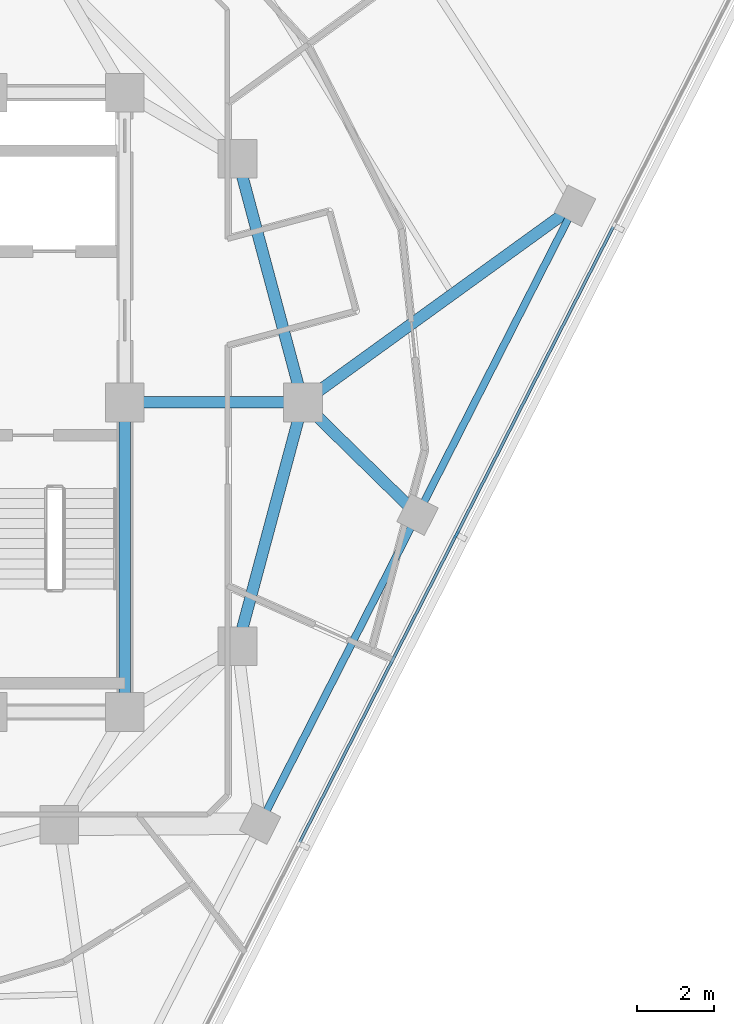
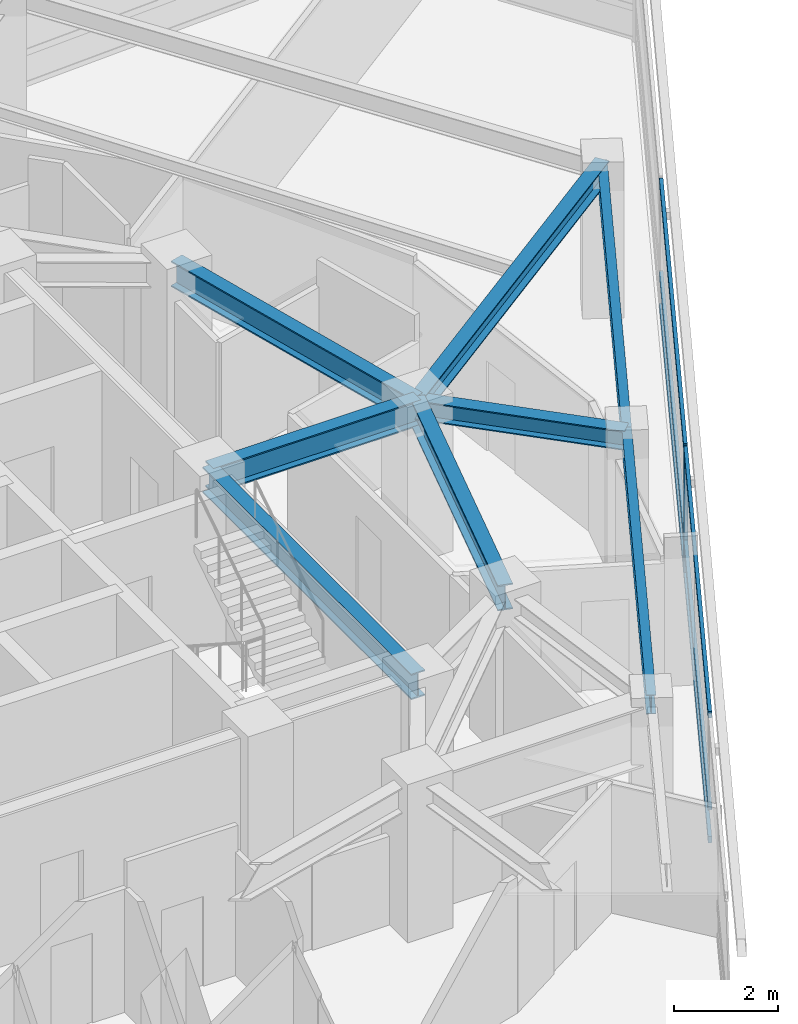
# One storey, part 4 of 15: 8 beams, 7 members, 1 element without a shape of its own.
"""IFC4 building model written with IfcOpenShell, lengths in metres."""

from ifc_helpers import new_model, si_unit, direction, frame, origin, origin_2d, place, context, subcontext, project, spatial, rectangle, i_section, extrude, material, layer, layer_set, material_profile, profile_set, type_object, element, aggregate, save


model = new_model("IFC4")

# Units and contexts
model_context = context("Model", 3, precision=1e-05, world=origin(), true_north=direction((0.0, 1.0)))
body_context = subcontext(model_context, "Body", "Model", "MODEL_VIEW")
ifc_project = project(units=[si_unit("LENGTHUNIT", "METRE"), si_unit("AREAUNIT", "SQUARE_METRE"), si_unit("VOLUMEUNIT", "CUBIC_METRE"), si_unit("PLANEANGLEUNIT", "RADIAN"), si_unit("MASSUNIT", "GRAM", prefix="KILO")], contexts=[model_context])

# Site, building, storey
site_placement = place(None, origin())
site = spatial("IfcSite", under=ifc_project, at=site_placement, CompositionType="ELEMENT")
building_placement = place(site_placement, origin())
building = spatial("IfcBuilding", under=site, at=building_placement, Name="Terralouvre Media Tower", CompositionType="ELEMENT")
storey_placement = place(building_placement, frame((0.0, 0.0, 248.5)))
storey = spatial("IfcBuildingStorey", under=building, at=storey_placement, Name="L64", CompositionType="ELEMENT", Elevation=248.5)

# Curtain wall, members
ifc_material_1 = material(Name="Low-iron laminated double glazing with solar-control coating", Category="glass")
ifc_layer = layer(ifc_material_1, 0.1650390625, Name="Upper Executive Tower Curtain Wall CW-05")
ifc_layer_set = layer_set([ifc_layer], Name="Low-iron laminated double glazing with solar-control coating")
curtain_wall_type = type_object("IfcCurtainWallType", Name="Upper Executive Tower Curtain Wall CW-05", PredefinedType="NOTDEFINED", material=ifc_layer_set)
curtain_wall_placement = place(storey_placement, origin())
curtain_wall = element("IfcCurtainWall", 1, at=curtain_wall_placement, inside=storey, type_object=curtain_wall_type, Name="L64 Facade Curtain Wall F0", PredefinedType="NOTDEFINED")
ifc_material_2 = material(Name="Anodised extruded aluminium 6063-T6", Category="aluminium")
ifc_material_profile_1 = material_profile(ifc_material_2, rectangle(XDim=0.074951171875, YDim=0.14990234375, at=origin_2d()), Name="ALU 75x150")
ifc_profile_set_1 = profile_set([ifc_material_profile_1], Name="Anodised extruded aluminium 6063-T6")
member_type_1 = type_object("IfcMemberType", Name="Curtain-Wall Horizontal Transom TR-150", PredefinedType="USERDEFINED", material=ifc_profile_set_1)
member_1_placement = place(storey_placement, frame((12.517822265625, -11.364013671875, 0.03759765625), z_axis=(0.4539932871, 0.891005103952, 0.0), x_axis=(-0.891005103952, 0.4539932871, 0.0)))
member_1 = element("IfcMember", 2, at=member_1_placement, type_object=member_type_1, Name="CW-05 transom 3.1", ObjectType="TRANSOM", PredefinedType="USERDEFINED", context=body_context, shape_type="SweptSolid", body=[
    extrude(rectangle(XDim=0.074951171875, YDim=0.14990234375, at=origin_2d()), origin(), (0.0, 0.0, 1.0), 8.885009765625),
])
member_2_placement = place(storey_placement, frame((12.517822265625, -11.364013671875, 0.800048828125), z_axis=(0.4539932871, 0.891005103952, 0.0), x_axis=(-0.891005103952, 0.4539932871, 0.0)))
member_2 = element("IfcMember", 3, at=member_2_placement, type_object=member_type_1, Name="CW-05 transom 3.2", ObjectType="TRANSOM", PredefinedType="USERDEFINED", context=body_context, shape_type="SweptSolid", body=[
    extrude(rectangle(XDim=0.074951171875, YDim=0.14990234375, at=origin_2d()), origin(), (0.0, 0.0, 1.0), 8.885009765625),
])
member_3_placement = place(storey_placement, frame((12.517822265625, -11.364013671875, 2.96240234375), z_axis=(0.4539932871, 0.891005103952, 0.0), x_axis=(-0.891005103952, 0.4539932871, 0.0)))
member_3 = element("IfcMember", 4, at=member_3_placement, type_object=member_type_1, Name="CW-05 transom 3.3", ObjectType="TRANSOM", PredefinedType="USERDEFINED", context=body_context, shape_type="SweptSolid", body=[
    extrude(rectangle(XDim=0.074951171875, YDim=0.14990234375, at=origin_2d()), origin(), (0.0, 0.0, 1.0), 8.885009765625),
])
member_4_placement = place(storey_placement, frame((16.585693359375, -3.380615234375, 0.03759765625), z_axis=(0.4539932871, 0.891005103952, 0.0), x_axis=(-0.891005103952, 0.4539932871, 0.0)))
member_4 = element("IfcMember", 5, at=member_4_placement, type_object=member_type_1, Name="CW-05 transom 4.1", ObjectType="TRANSOM", PredefinedType="USERDEFINED", context=body_context, shape_type="SweptSolid", body=[
    extrude(rectangle(XDim=0.074951171875, YDim=0.14990234375, at=origin_2d()), origin(), (0.0, 0.0, 1.0), 8.885009765625),
])
member_5_placement = place(storey_placement, frame((16.585693359375, -3.380615234375, 0.800048828125), z_axis=(0.4539932871, 0.891005103952, 0.0), x_axis=(-0.891005103952, 0.4539932871, 0.0)))
member_5 = element("IfcMember", 6, at=member_5_placement, type_object=member_type_1, Name="CW-05 transom 4.2", ObjectType="TRANSOM", PredefinedType="USERDEFINED", context=body_context, shape_type="SweptSolid", body=[
    extrude(rectangle(XDim=0.074951171875, YDim=0.14990234375, at=origin_2d()), origin(), (0.0, 0.0, 1.0), 8.885009765625),
])
member_6_placement = place(storey_placement, frame((16.585693359375, -3.380615234375, 2.96240234375), z_axis=(0.4539932871, 0.891005103952, 0.0), x_axis=(-0.891005103952, 0.4539932871, 0.0)))
member_6 = element("IfcMember", 7, at=member_6_placement, type_object=member_type_1, Name="CW-05 transom 4.3", ObjectType="TRANSOM", PredefinedType="USERDEFINED", context=body_context, shape_type="SweptSolid", body=[
    extrude(rectangle(XDim=0.074951171875, YDim=0.14990234375, at=origin_2d()), origin(), (0.0, 0.0, 1.0), 8.885009765625),
])
ifc_material_3 = material(Name="Anodised extruded aluminium 6063-T6", Category="aluminium")
ifc_material_profile_2 = material_profile(ifc_material_3, rectangle(XDim=0.074951171875, YDim=0.179931640625, at=origin_2d()), Name="ALU 75x180")
ifc_profile_set_2 = profile_set([ifc_material_profile_2], Name="Anodised extruded aluminium 6063-T6")
member_type_2 = type_object("IfcMemberType", Name="Curtain-Wall Vertical Mullion ML-180", PredefinedType="MULLION", material=ifc_profile_set_2)
member_7_placement = place(storey_placement, frame((16.568603515625, -3.4140625, 0.0), z_axis=(0.0, 0.0, 1.0), x_axis=(-0.891006553308, 0.45399044259, 0.0)))
member_7 = element("IfcMember", 8, at=member_7_placement, type_object=member_type_2, Name="CW-05 mullion 4", PredefinedType="MULLION", context=body_context, shape_type="SweptSolid", body=[
    extrude(rectangle(XDim=0.074951171875, YDim=0.179931640625, at=origin_2d()), origin(), (0.0, 0.0, 1.0), 3.0),
])
aggregate(curtain_wall, [member_7, member_1, member_2, member_3, member_4, member_5, member_6])

# Beams
ifc_material_4 = material(Name="Structural steel S355J2", Category="steel")
ifc_material_profile_3 = material_profile(ifc_material_4, i_section(OverallWidth=0.18994140625, OverallDepth=0.449951171875, WebThickness=0.009521484375, FlangeThickness=0.0146484375, at=origin_2d()), Name="IPE 450")
ifc_profile_set_3 = profile_set([ifc_material_profile_3], Name="Structural steel S355J2")
beam_type_1 = type_object("IfcBeamType", Name="Perimeter Spandrel Beam SPB-450 (IPE 450)", PredefinedType="SPANDREL", material=ifc_profile_set_3)
for number, where, z_axis, x_axis, name in (
    (9, (11.493896484375, -10.884521484375, 3.264892578125), (0.454001700669, 0.891000816941, 0.0), (-0.891000816941, 0.454001700669, 0.0), "L64 Framing Beam BM-L64-PR05"),
    (10, (15.561767578125, -2.901123046875, 3.264892578125), (0.453980068772, 0.891011838955, 0.0), (-0.891011838955, 0.453980068772, 0.0), "L64 Framing Beam BM-L64-PR06"),
):
    element("IfcBeam", number, at=place(storey_placement, frame(where, z_axis=z_axis, x_axis=x_axis)), inside=storey, type_object=beam_type_1, Name=name, PredefinedType="SPANDREL", context=body_context, shape_type="SweptSolid", body=[
        extrude(i_section(OverallWidth=0.18994140625, OverallDepth=0.449951171875, WebThickness=0.009521484375, FlangeThickness=0.0146484375, at=origin_2d()), origin(), (0.0, 0.0, 1.0), 8.9599609375),
    ])
ifc_material_5 = material(Name="Structural steel S355J2", Category="steel")
ifc_material_profile_4 = material_profile(ifc_material_5, i_section(OverallWidth=0.300048828125, OverallDepth=0.449951171875, WebThickness=0.013916015625, FlangeThickness=0.02587890625, at=origin_2d()), Name="HEB 450")
ifc_profile_set_4 = profile_set([ifc_material_profile_4], Name="Structural steel S355J2")
beam_type_2 = type_object("IfcBeamType", Name="Primary Floor Girder B-HEB450 (HEB 450)", PredefinedType="BEAM", material=ifc_profile_set_4)
beam_1_placement = place(storey_placement, frame((12.60009765625, 0.0, 3.264892578125), z_axis=(0.71437119745, -0.699766955675, 0.0), x_axis=(0.699766955675, 0.71437119745, 0.0)))
element("IfcBeam", 11, at=beam_1_placement, inside=storey, type_object=beam_type_2, Name="L64 Framing Beam BM-L64-RD06", PredefinedType="BEAM", context=body_context, shape_type="SweptSolid", body=[
    extrude(i_section(OverallWidth=0.300048828125, OverallDepth=0.449951171875, WebThickness=0.013916015625, FlangeThickness=0.02587890625, at=origin_2d()), origin(), (0.0, 0.0, 1.0), 4.145751953125),
])
beam_2_placement = place(storey_placement, frame((12.60009765625, 0.0, 3.27490234375), z_axis=(0.810374824206, 0.585911805901, 0.0), x_axis=(-0.585911805901, 0.810374824206, 0.0)))
element("IfcBeam", 12, at=beam_2_placement, inside=storey, type_object=beam_type_2, Name="L64 Framing Beam BM-L64-RD07", PredefinedType="BEAM", context=body_context, shape_type="SweptSolid", body=[
    extrude(i_section(OverallWidth=0.300048828125, OverallDepth=0.449951171875, WebThickness=0.013916015625, FlangeThickness=0.02587890625, at=origin_2d()), origin(), (0.0, 0.0, 1.0), 8.674072265625),
])
ifc_material_6 = material(Name="Structural steel S460M", Category="steel")
ifc_material_profile_5 = material_profile(ifc_material_6, i_section(OverallWidth=0.300048828125, OverallDepth=0.60009765625, WebThickness=0.015380859375, FlangeThickness=0.030029296875, at=origin_2d()), Name="HEB 600")
ifc_profile_set_5 = profile_set([ifc_material_profile_5], Name="Structural steel S460M")
beam_type_3 = type_object("IfcBeamType", Name="Primary Floor Girder B-HEB600 (HEB 600)", PredefinedType="BEAM", material=ifc_profile_set_5)
beam_3_placement = place(storey_placement, frame((8.0, -8.0, 3.199951171875), z_axis=(0.0, 1.0, 0.0), x_axis=(-1.0, 0.0, 0.0)))
element("IfcBeam", 13, at=beam_3_placement, inside=storey, type_object=beam_type_3, Name="L64 Framing Beam BM-L64-CPR04", PredefinedType="BEAM", context=body_context, shape_type="SweptSolid", body=[
    extrude(i_section(OverallWidth=0.300048828125, OverallDepth=0.60009765625, WebThickness=0.015380859375, FlangeThickness=0.030029296875, at=origin_2d()), origin(), (0.0, 0.0, 1.0), 8.0),
])
for number, where, z_axis, x_axis, name in (
    (14, (10.911865234375, -6.300048828125, 3.199951171875), (0.258838989821, 0.965920481897, 0.0), (-0.965920481897, 0.258838989821, 0.0), "L64 Framing Beam BM-L64-MR05"),
    (15, (12.60009765625, 0.0, 3.199951171875), (-0.258838989821, 0.965920481897, 0.0), (-0.965920481897, -0.258838989821, 0.0), "L64 Framing Beam BM-L64-MR06"),
):
    element("IfcBeam", number, at=place(storey_placement, frame(where, z_axis=z_axis, x_axis=x_axis)), inside=storey, type_object=beam_type_3, Name=name, PredefinedType="BEAM", context=body_context, shape_type="SweptSolid", body=[
        extrude(i_section(OverallWidth=0.300048828125, OverallDepth=0.60009765625, WebThickness=0.015380859375, FlangeThickness=0.030029296875, at=origin_2d()), origin(), (0.0, 0.0, 1.0), 6.522216796875),
    ])
beam_4_placement = place(storey_placement, frame((8.0, 0.0, 3.199951171875), z_axis=(1.0, 0.0, 0.0), x_axis=(0.0, 1.0, 0.0)))
element("IfcBeam", 16, at=beam_4_placement, inside=storey, type_object=beam_type_3, Name="L64 Framing Beam BM-L64-CM06", PredefinedType="BEAM", context=body_context, shape_type="SweptSolid", body=[
    extrude(i_section(OverallWidth=0.300048828125, OverallDepth=0.60009765625, WebThickness=0.015380859375, FlangeThickness=0.030029296875, at=origin_2d()), origin(), (0.0, 0.0, 1.0), 4.60009765625),
])

save(model, "model.ifc")
